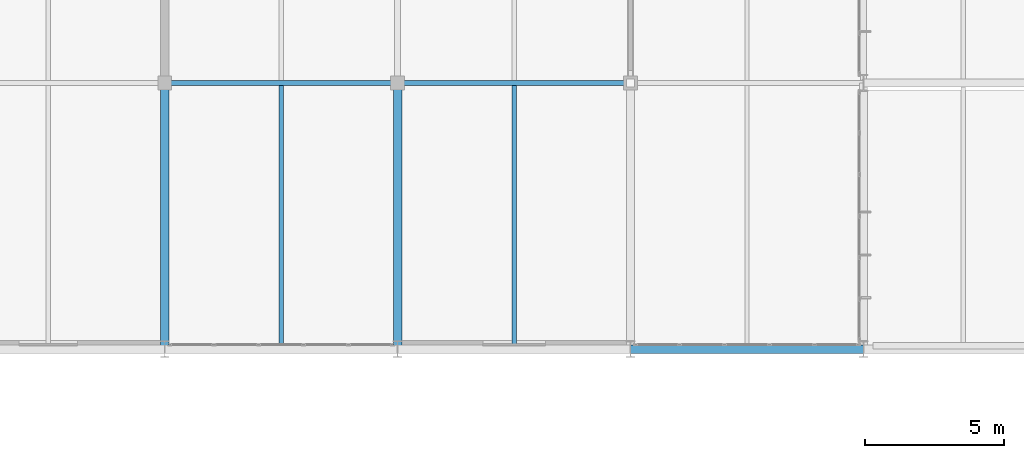
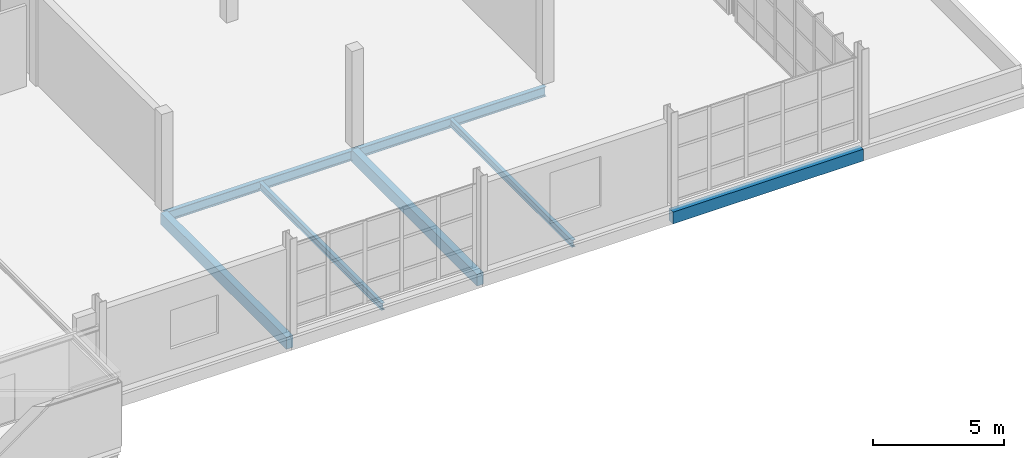
# One storey, part 64 of 109: 7 beams.
"""IFC4 building model written with IfcOpenShell, lengths in metres."""

from ifc_helpers import new_model, si_unit, direction, frame, origin, origin_2d, place, context, subcontext, project, spatial, rectangle, i_section, extrude, material, material_profile, profile_set, type_object, element, save


model = new_model("IFC4")

# Units and contexts
model_context = context("Model", 3, precision=1e-05, world=origin(), true_north=direction((0.0, 1.0)))
body_context = subcontext(model_context, "Body", "Model", "MODEL_VIEW")
ifc_project = project(units=[si_unit("LENGTHUNIT", "METRE"), si_unit("AREAUNIT", "SQUARE_METRE"), si_unit("VOLUMEUNIT", "CUBIC_METRE"), si_unit("PLANEANGLEUNIT", "RADIAN"), si_unit("MASSUNIT", "GRAM", prefix="KILO")], contexts=[model_context])

# Site, building, storey
site_placement = place(None, origin())
site = spatial("IfcSite", under=ifc_project, at=site_placement, CompositionType="ELEMENT")
building_placement = place(site_placement, origin())
building = spatial("IfcBuilding", under=site, at=building_placement, Name="Veltarok Museum of Natural Sciences", CompositionType="ELEMENT")
storey_placement = place(building_placement, frame((0.0, 0.0, 17.39990234375)))
storey = spatial("IfcBuildingStorey", under=building, at=storey_placement, Name="L03", CompositionType="ELEMENT", Elevation=17.39990234375)

# Beams
ifc_material_1 = material(Name="Precast concrete C40/50", Category="concrete")
ifc_material_profile_1 = material_profile(ifc_material_1, rectangle(XDim=0.300048828125, YDim=0.550048828125, at=origin_2d()), Name="RC 300x550")
ifc_profile_set_1 = profile_set([ifc_material_profile_1], Name="Precast concrete C40/50")
beam_type_1 = type_object("IfcBeamType", Name="East Wing Precast Spandrel RC 300x550", PredefinedType="SPANDREL", material=ifc_profile_set_1)
beam_1_placement = place(storey_placement, frame((149.199951171875, 0.0, -0.52490234375), z_axis=(1.0, 0.0, 0.0), x_axis=(0.0, 1.0, 0.0)))
element("IfcBeam", 1, at=beam_1_placement, inside=storey, type_object=beam_type_1, Name="Beam BM-SP02 L03 18-19/A", PredefinedType="SPANDREL", context=body_context, shape_type="SweptSolid", body=[
    extrude(rectangle(XDim=0.300048828125, YDim=0.550048828125, at=origin_2d()), origin(), (0.0, 0.0, 1.0), 8.400146484375),
])
for number, where, z_axis, x_axis, name in (
    (2, (132.39990234375, 0.0, -0.52490234375), (0.0, 1.0, 0.0), (-1.0, 0.0, 0.0), "Beam BM-SP02 L03 16/A-B"),
    (3, (140.800048828125, 0.0, -0.52490234375), (0.0, 1.0, 0.0), (-1.0, 0.0, 0.0), "Beam BM-SP02 L03 17/A-B"),
):
    element("IfcBeam", number, at=place(storey_placement, frame(where, z_axis=z_axis, x_axis=x_axis)), inside=storey, type_object=beam_type_1, Name=name, PredefinedType="SPANDREL", context=body_context, shape_type="SweptSolid", body=[
        extrude(rectangle(XDim=0.300048828125, YDim=0.550048828125, at=origin_2d()), origin(), (0.0, 0.0, 1.0), 9.60009765625),
    ])
ifc_material_2 = material(Name="Steel S355J2", Category="steel")
ifc_material_profile_2 = material_profile(ifc_material_2, i_section(OverallWidth=0.18994140625, OverallDepth=0.449951171875, WebThickness=0.009521484375, FlangeThickness=0.0146484375, FilletRadius=0.02099609375, at=origin_2d()), Name="IPE 450")
ifc_profile_set_2 = profile_set([ifc_material_profile_2], Name="Steel S355J2")
beam_type_2 = type_object("IfcBeamType", Name="Laboratory Floor Girder IPE 450", PredefinedType="BEAM", material=ifc_profile_set_2)
beam_2_placement = place(storey_placement, frame((132.39990234375, 9.60009765625, -0.474853515625), z_axis=(1.0, 0.0, 0.0), x_axis=(0.0, 1.0, 0.0)))
element("IfcBeam", 4, at=beam_2_placement, inside=storey, type_object=beam_type_2, Name="Beam BM-G05 L03 16-17/B", PredefinedType="BEAM", context=body_context, shape_type="SweptSolid", body=[
    extrude(i_section(OverallWidth=0.18994140625, OverallDepth=0.449951171875, WebThickness=0.009521484375, FlangeThickness=0.0146484375, FilletRadius=0.02099609375, at=origin_2d()), origin(), (0.0, 0.0, 1.0), 8.400146484375),
])
beam_3_placement = place(storey_placement, frame((140.800048828125, 9.60009765625, -0.474853515625), z_axis=(1.0, 0.0, 0.0), x_axis=(0.0, 1.0, 0.0)))
element("IfcBeam", 5, at=beam_3_placement, inside=storey, type_object=beam_type_2, Name="Beam BM-G05 L03 17-18/B", PredefinedType="BEAM", context=body_context, shape_type="SweptSolid", body=[
    extrude(i_section(OverallWidth=0.18994140625, OverallDepth=0.449951171875, WebThickness=0.009521484375, FlangeThickness=0.0146484375, FilletRadius=0.02099609375, at=origin_2d()), origin(), (0.0, 0.0, 1.0), 8.39990234375),
])
ifc_material_profile_3 = material_profile(ifc_material_2, i_section(OverallWidth=0.159912109375, OverallDepth=0.330078125, WebThickness=0.007568359375, FlangeThickness=0.011474609375, FilletRadius=0.01806640625, at=origin_2d()), Name="IPE 330")
ifc_profile_set_3 = profile_set([ifc_material_profile_3], Name="Steel S355J2")
beam_type_3 = type_object("IfcBeamType", Name="Medium-Bay Composite Joist IPE 330", PredefinedType="JOIST", material=ifc_profile_set_3)
for number, where, z_axis, x_axis, name in (
    (6, (136.60009765625, 0.14794921875, -0.414794921875), (0.0, 1.0, 0.0), (-1.0, 0.0, 0.0), "Secondary Joist BM-J02 L03 16-17/A-B.1"),
    (7, (145.0, 0.14794921875, -0.414794921875), (0.0, 1.0, 0.0), (-1.0, 0.0, 0.0), "Secondary Joist BM-J02 L03 17-18/A-B.1"),
):
    element("IfcBeam", number, at=place(storey_placement, frame(where, z_axis=z_axis, x_axis=x_axis)), inside=storey, type_object=beam_type_3, Name=name, PredefinedType="JOIST", context=body_context, shape_type="SweptSolid", body=[
        extrude(i_section(OverallWidth=0.159912109375, OverallDepth=0.330078125, WebThickness=0.007568359375, FlangeThickness=0.011474609375, FilletRadius=0.01806640625, at=origin_2d()), origin(), (0.0, 0.0, 1.0), 9.359130859375),
    ])

save(model, "model.ifc")
